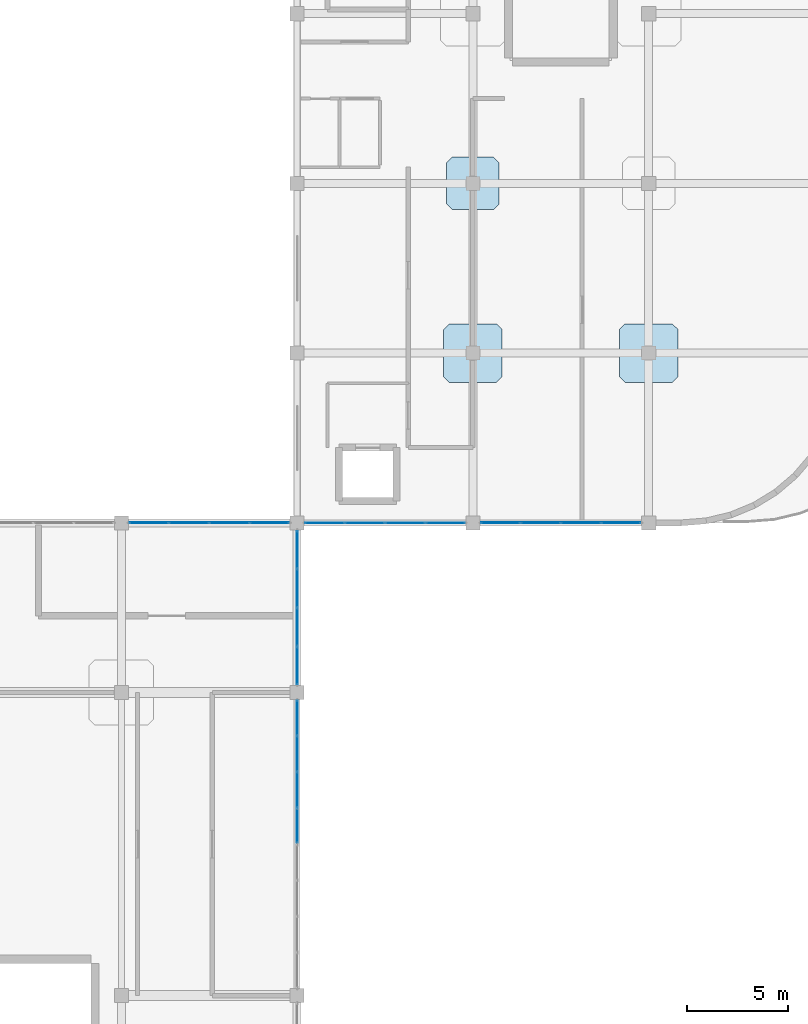
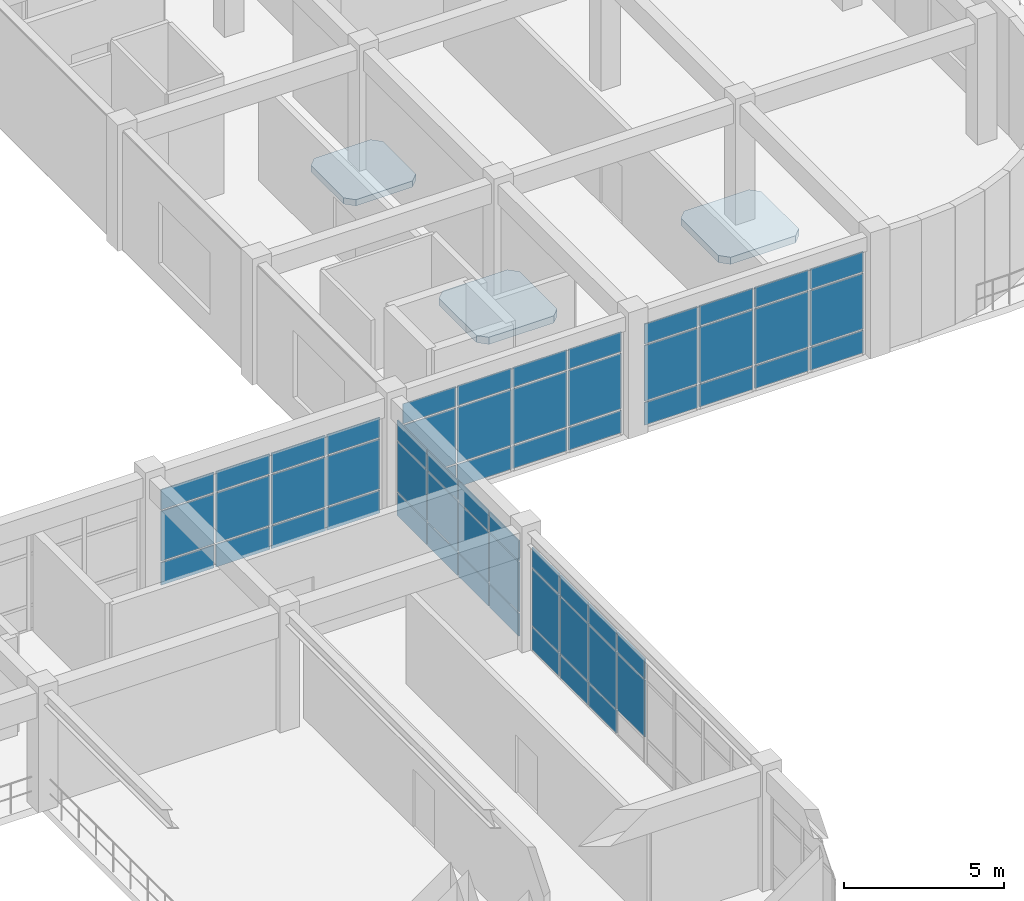
# One storey, part 52 of 64: 59 plates, 3 slabs, 5 elements without a shape of their own.
"""IFC4 building model written with IfcOpenShell, lengths in metres."""

import ifcopenshell
import ifcopenshell.guid

model = None  # the IFC model being written
_history = None  # IfcOwnerHistory: only IFC2X3 demands one
_inside = {}  # id of a spatial element -> (the spatial element, [elements in it])
_under = {}  # id of a project, library or spatial element -> (it, [spatial elements below it])
_declared = {}  # id of a project -> (the project, [libraries it declares])
_typed = {}  # id of a type object -> (the type object, [elements of that type])
_made_of = {}  # id of a material, layer set ... -> (it, [elements and type objects made of it])


def new_model(schema):
    """Start an empty IFC model of exactly this schema.

    Asked for "IFC4X3", IfcOpenShell would pick the latest addendum, in which some entities
    have other attributes; the version numbers below select the first issue.
    IFC2X3 requires an IfcOwnerHistory on every rooted entity: one is made here for all.
    """
    global model, _history
    if schema == "IFC4X3":
        model = ifcopenshell.file(schema_version=(4, 3, 0, 0))
    else:
        model = ifcopenshell.file(schema=schema)
    _inside.clear()
    _under.clear()
    _declared.clear()
    _typed.clear()
    _made_of.clear()
    _history = None
    if model.schema == "IFC2X3":
        org = make("IfcOrganization", Name="unknown")
        user = make(
            "IfcPersonAndOrganization",
            ThePerson=make("IfcPerson", FamilyName="unknown"),
            TheOrganization=org,
        )
        app = make(
            "IfcApplication",
            ApplicationDeveloper=org,
            Version="unknown",
            ApplicationFullName="unknown",
            ApplicationIdentifier="unknown",
        )
        _history = make(
            "IfcOwnerHistory",
            OwningUser=user,
            OwningApplication=app,
            ChangeAction="ADDED",
            CreationDate=0,
        )
    return model


def make(cls, **values):
    """One entity of the class cls with the attributes given. An attribute that is None is left unset."""
    return model.create_entity(
        cls, **{name: value for name, value in values.items() if value is not None}
    )


def rooted(cls, **values):
    """An entity with a GlobalId (a new one), such as an element, a storey or a relation."""
    return make(cls, GlobalId=ifcopenshell.guid.new(), OwnerHistory=_history, **values)


def si_unit(unit_type, name, prefix=None):
    """IfcSIUnit, for example si_unit("LENGTHUNIT", "METRE", prefix="MILLI")."""
    return make("IfcSIUnit", UnitType=unit_type, Prefix=prefix, Name=name)


def derived_unit(unit_type, elements):
    """IfcDerivedUnit: a product of units, each with its exponent."""
    return make(
        "IfcDerivedUnit",
        Elements=[
            make("IfcDerivedUnitElement", Unit=unit, Exponent=power)
            for unit, power in elements
        ],
        UnitType=unit_type,
    )


def assignment(units):
    """IfcUnitAssignment: the units of a project."""
    return None if units is None else make("IfcUnitAssignment", Units=units)


def point(xyz):
    """IfcCartesianPoint."""
    return None if xyz is None else make("IfcCartesianPoint", Coordinates=xyz)


def direction(xyz):
    """IfcDirection."""
    return None if xyz is None else make("IfcDirection", DirectionRatios=xyz)


def frame(location, z_axis=None, x_axis=None):
    """IfcAxis2Placement3D, a coordinate frame: its origin and axes. An axis left out is left unset."""
    return make(
        "IfcAxis2Placement3D",
        Location=point(location),
        Axis=direction(z_axis),
        RefDirection=direction(x_axis),
    )


def frame_2d(location, x_axis=None):
    """IfcAxis2Placement2D, a coordinate frame in the plane: its origin and x axis."""
    return make(
        "IfcAxis2Placement2D", Location=point(location), RefDirection=direction(x_axis)
    )


def origin():
    """The frame at (0, 0, 0) with its axes left unset."""
    return frame((0.0, 0.0, 0.0))


def origin_2d():
    """The frame at (0, 0) in the plane with its x axis left unset."""
    return frame_2d((0.0, 0.0))


def place(relative_to, where):
    """IfcLocalPlacement: puts the frame where relative to a parent placement (None: the world)."""
    return make(
        "IfcLocalPlacement", PlacementRelTo=relative_to, RelativePlacement=where
    )


def context(
    kind, dimensions, precision=None, world=None, true_north=None, identifier=None
):
    """IfcGeometricRepresentationContext, for example the 3D "Model" context."""
    return make(
        "IfcGeometricRepresentationContext",
        ContextIdentifier=identifier,
        ContextType=kind,
        CoordinateSpaceDimension=dimensions,
        Precision=precision,
        WorldCoordinateSystem=world,
        TrueNorth=true_north,
    )


def subcontext(parent, identifier, kind, view, scale=None):
    """IfcGeometricRepresentationSubContext, for example "Body" below "Model"."""
    return make(
        "IfcGeometricRepresentationSubContext",
        ContextIdentifier=identifier,
        ContextType=kind,
        ParentContext=parent,
        TargetScale=scale,
        TargetView=view,
    )


def project(units=None, contexts=None):
    """IfcProject with its units and contexts."""
    return rooted(
        "IfcProject",
        Name="project",
        RepresentationContexts=contexts,
        UnitsInContext=assignment(units),
    )


def spatial(cls, under=None, at=None, **own):
    """A site, building, storey or space (cls), placed at a placement, below another one or the project."""
    s = rooted(cls, ObjectPlacement=at, **own)
    if under is not None:
        _under.setdefault(under.id(), (under, []))[1].append(s)
    return s


def polyline(points):
    """IfcPolyline through the points."""
    return make("IfcPolyline", Points=[point(p) for p in points])


def profile(cls, at=None, kind="AREA", **sizes):
    """A parametric profile (cls). Its sizes go by their IFC names, for example OverallWidth=200.0."""
    return make(cls, ProfileType=kind, Position=at, **sizes)


def rectangle(**sizes):
    """IfcRectangleProfileDef."""
    return profile("IfcRectangleProfileDef", **sizes)


def outline(outer, holes=None, kind="AREA"):
    """IfcArbitraryClosedProfileDef: a profile drawn as a closed curve; with holes, ...WithVoids."""
    if holes is None:
        return make("IfcArbitraryClosedProfileDef", ProfileType=kind, OuterCurve=outer)
    return make(
        "IfcArbitraryProfileDefWithVoids",
        ProfileType=kind,
        OuterCurve=outer,
        InnerCurves=holes,
    )


def extrude(swept, where, along, depth):
    """IfcExtrudedAreaSolid: the profile swept, set in the frame where, extruded along a direction by depth."""
    return make(
        "IfcExtrudedAreaSolid",
        SweptArea=swept,
        Position=where,
        ExtrudedDirection=direction(along),
        Depth=depth,
    )


def shape(context_of_items, identifier, shape_type, items):
    """IfcShapeRepresentation: the items that make up one representation, for example the "Body"."""
    return make(
        "IfcShapeRepresentation",
        ContextOfItems=context_of_items,
        RepresentationIdentifier=identifier,
        RepresentationType=shape_type,
        Items=items,
    )


def material(Name=None, Category=None):
    """IfcMaterial."""
    return make("IfcMaterial", Name=Name, Category=Category)


def layer(
    of_material, thickness, ventilated=None, Name=None, Category=None, Priority=None
):
    """IfcMaterialLayer: one layer of a wall or slab, of a material (None: an air gap)."""
    return make(
        "IfcMaterialLayer",
        Material=of_material,
        LayerThickness=thickness,
        IsVentilated=ventilated,
        Name=Name,
        Category=Category,
        Priority=Priority,
    )


def layer_set(layers, Name=None):
    """IfcMaterialLayerSet."""
    return make("IfcMaterialLayerSet", MaterialLayers=layers, LayerSetName=Name)


def made_of(thing, what):
    """Note that an element or type object is made of a material, layer set ...; save() writes the relation."""
    if what is not None:
        _made_of.setdefault(what.id(), (what, []))[1].append(thing)
    return thing


def type_object(cls, material=None, **own):
    """A type object (cls), such as IfcWallType, which elements share."""
    return made_of(rooted(cls, **own), material)


def element(
    cls,
    number,
    at=None,
    inside=None,
    cuts=None,
    type_object=None,
    material=None,
    context=None,
    identifier="Body",
    shape_type=None,
    held_by="IfcProductDefinitionShape",
    body=None,
    shapes=None,
    **own,
):
    """One element of the class cls, such as IfcWall. Its Tag is "e" and its number.

    at: its placement. inside: the storey or other place that contains it. cuts: it is an
    opening in that element (IfcRelVoidsElement). A single representation is given by context,
    identifier, shape_type and body (its items); several are given by shapes. held_by: the class
    of the entity that holds the representations. save() writes the other relations.
    """
    e = rooted(cls, Tag="e%d" % number, ObjectPlacement=at, **own)
    if body is not None:
        shapes = [shape(context, identifier, shape_type, body)]
    if shapes is not None:
        e.Representation = make(held_by, Representations=shapes)
    if inside is not None:
        _inside.setdefault(inside.id(), (inside, []))[1].append(e)
    if cuts is not None:
        rooted(
            "IfcRelVoidsElement", RelatingBuildingElement=cuts, RelatedOpeningElement=e
        )
    if type_object is not None:
        _typed.setdefault(type_object.id(), (type_object, []))[1].append(e)
    return made_of(e, material)


def aggregate(whole, parts):
    """IfcRelAggregates: a whole, such as a stair, and the parts it consists of."""
    return rooted("IfcRelAggregates", RelatingObject=whole, RelatedObjects=parts)


def save(model, path):
    """Write the relations noted so far, then the file.

    IfcRelAggregates (storeys below a building ...), IfcRelContainedInSpatialStructure (elements
    in a storey), IfcRelDefinesByType, IfcRelAssociatesMaterial and IfcRelDeclares: one each for
    every whole, place, type object, material and project.
    """
    for whole, parts in _under.values():
        aggregate(whole, parts)
    for where, things in _inside.values():
        rooted(
            "IfcRelContainedInSpatialStructure",
            RelatedElements=things,
            RelatingStructure=where,
        )
    for kind, things in _typed.values():
        rooted("IfcRelDefinesByType", RelatedObjects=things, RelatingType=kind)
    for what, things in _made_of.values():
        rooted("IfcRelAssociatesMaterial", RelatedObjects=things, RelatingMaterial=what)
    for by, libraries in _declared.values():
        rooted("IfcRelDeclares", RelatingContext=by, RelatedDefinitions=libraries)
    model.write(path)


model = new_model("IFC4")

# Units and contexts
model_context = context("Model", 3, precision=1e-05, world=origin(), true_north=direction((0.0, 1.0)))
body_context = subcontext(model_context, "Body", "Model", "MODEL_VIEW")
ifc_project = project(units=[si_unit("LENGTHUNIT", "METRE"), si_unit("AREAUNIT", "SQUARE_METRE"), si_unit("VOLUMEUNIT", "CUBIC_METRE"), si_unit("PLANEANGLEUNIT", "RADIAN"), si_unit("MASSUNIT", "GRAM", prefix="KILO"), derived_unit("THERMALTRANSMITTANCEUNIT", [(si_unit("MASSUNIT", "GRAM", prefix="KILO"), 1), (si_unit("TIMEUNIT", "SECOND"), -3), (si_unit("THERMODYNAMICTEMPERATUREUNIT", "KELVIN"), -1)])], contexts=[model_context])

# Site, building, storey
site_placement = place(None, origin())
site = spatial("IfcSite", under=ifc_project, at=site_placement, CompositionType="ELEMENT")
building_placement = place(site_placement, origin())
building = spatial("IfcBuilding", under=site, at=building_placement, Name="Qinzheling Arcade Emporium", CompositionType="ELEMENT")
storey_placement = place(building_placement, frame((0.0, 0.0, 31.5)))
storey = spatial("IfcBuildingStorey", under=building, at=storey_placement, Name="L07", CompositionType="ELEMENT", Elevation=31.5)

# Slabs
ifc_material_1 = material(Name="Concrete C40", Category="concrete")
ifc_layer_1 = layer(ifc_material_1, 0.235107421875, Name="Concrete C40", Category="concrete")
ifc_layer_set_1 = layer_set([ifc_layer_1], Name="Concrete C40")
slab_type_1 = type_object("IfcSlabType", Name="Column Head Drop Panel 2600x2600x235 C40", PredefinedType="USERDEFINED", material=ifc_layer_set_1)
slab_1_placement = place(storey_placement, frame((0.0, 0.0, -0.5)))
element("IfcSlab", 1, at=slab_1_placement, inside=storey, type_object=slab_type_1, Name="Column Drop Panel DP-L07-14-L", ObjectType="DROP_PANEL", PredefinedType="USERDEFINED", context=body_context, shape_type="SweptSolid", body=[
    extrude(outline(polyline([(112.080078125, 89.300048828125), (114.1201171875, 89.300048828125), (114.39990234375, 89.580078125), (114.39990234375, 91.6201171875), (114.1201171875, 91.89990234375), (112.080078125, 91.89990234375), (111.800048828125, 91.6201171875), (111.800048828125, 89.580078125), (112.080078125, 89.300048828125)])), origin(), (0.0, 0.0, 1.0), 0.235107421875),
])
ifc_layer_2 = layer(ifc_material_1, 0.27001953125, Name="Concrete C40", Category="concrete")
ifc_layer_set_2 = layer_set([ifc_layer_2], Name="Concrete C40")
slab_type_2 = type_object("IfcSlabType", Name="Column Head Drop Panel 2900x2900x270 C40", PredefinedType="USERDEFINED", material=ifc_layer_set_2)
slab_2_placement = place(storey_placement, frame((0.0, 0.0, -0.534912109375)))
element("IfcSlab", 2, at=slab_2_placement, inside=storey, type_object=slab_type_2, Name="Column Drop Panel DP-L07-14-K", ObjectType="DROP_PANEL", PredefinedType="USERDEFINED", context=body_context, shape_type="SweptSolid", body=[
    extrude(outline(polyline([(111.929931640625, 80.75), (114.27001953125, 80.75), (114.550048828125, 81.030029296875), (114.550048828125, 83.3701171875), (114.27001953125, 83.64990234375), (111.929931640625, 83.64990234375), (111.64990234375, 83.3701171875), (111.64990234375, 81.030029296875), (111.929931640625, 80.75)])), origin(), (0.0, 0.0, 1.0), 0.27001953125),
])
slab_3_placement = place(storey_placement, frame((0.0, 0.0, -0.534912109375)))
element("IfcSlab", 3, at=slab_3_placement, inside=storey, type_object=slab_type_2, Name="Column Drop Panel DP-L07-15-K", ObjectType="DROP_PANEL", PredefinedType="USERDEFINED", context=body_context, shape_type="SweptSolid", body=[
    extrude(outline(polyline([(120.6298828125, 80.75), (122.969970703125, 80.75), (123.25, 81.030029296875), (123.25, 83.3701171875), (122.969970703125, 83.64990234375), (120.6298828125, 83.64990234375), (120.35009765625, 83.3701171875), (120.35009765625, 81.030029296875), (120.6298828125, 80.75)])), origin(), (0.0, 0.0, 1.0), 0.27001953125),
])

# Curtain wall, plates
ifc_material_2 = material(Name="Anodised aluminium and solar-control double glazing", Category="aluminium")
ifc_layer_3 = layer(ifc_material_2, 0.159912109375, Name="Anodised aluminium and solar-control double glazing", Category="aluminium")
ifc_layer_set_3 = layer_set([ifc_layer_3], Name="Anodised aluminium and solar-control double glazing")
curtain_wall_type_1 = type_object("IfcCurtainWallType", Name="Arcade Portal Glazed Curtain Wall", PredefinedType="NOTDEFINED", material=ifc_layer_set_3)
curtain_wall_1_placement = place(storey_placement, origin())
curtain_wall_1 = element("IfcCurtainWall", 4, at=curtain_wall_1_placement, inside=storey, type_object=curtain_wall_type_1, Name="Curtain Wall CW-L07-442", PredefinedType="NOTDEFINED")
ifc_material_3 = material(Name="Laminated solar-control double glazing", Category="glass")
ifc_layer_4 = layer(ifc_material_3, 0.02099609375, Name="Laminated solar-control double glazing", Category="glass")
ifc_layer_set_4 = layer_set([ifc_layer_4], Name="Laminated solar-control double glazing")
plate_type_1 = type_object("IfcPlateType", Name="Low-E Double Glazed Curtain Panel 21mm", PredefinedType="CURTAIN_PANEL", material=ifc_layer_set_4)
plate_1_placement = place(storey_placement, frame((111.7333984375, 73.800048828125, 0.06005859375), z_axis=(0.0, 0.0, 1.0), x_axis=(-1.0, 0.0, 0.0)))
plate_1 = element("IfcPlate", 5, at=plate_1_placement, type_object=plate_type_1, Name="CW05 panel 1.1", PredefinedType="CURTAIN_PANEL", context=body_context, shape_type="SweptSolid", body=[
    extrude(rectangle(XDim=1.908935546875, YDim=0.02099609375, at=origin_2d()), origin(), (0.0, 0.0, 1.0), 0.860107421875),
])
plate_2_placement = place(storey_placement, frame((111.7333984375, 73.800048828125, 0.97998046875), z_axis=(0.0, 0.0, 1.0), x_axis=(-1.0, 0.0, 0.0)))
plate_2 = element("IfcPlate", 6, at=plate_2_placement, type_object=plate_type_1, Name="CW05 panel 1.2", PredefinedType="CURTAIN_PANEL", context=body_context, shape_type="SweptSolid", body=[
    extrude(rectangle(XDim=1.908935546875, YDim=0.02099609375, at=origin_2d()), origin(), (0.0, 0.0, 1.0), 2.110107421875),
])
plate_3_placement = place(storey_placement, frame((111.7333984375, 73.800048828125, 3.14990234375), z_axis=(0.0, 0.0, 1.0), x_axis=(-1.0, 0.0, 0.0)))
plate_3 = element("IfcPlate", 7, at=plate_3_placement, type_object=plate_type_1, Name="CW05 panel 1.3", PredefinedType="CURTAIN_PANEL", context=body_context, shape_type="SweptSolid", body=[
    extrude(rectangle(XDim=1.908935546875, YDim=0.02099609375, at=origin_2d()), origin(), (0.0, 0.0, 1.0), 0.760009765625),
])
plate_4_placement = place(storey_placement, frame((109.74951171875, 73.800048828125, 0.06005859375), z_axis=(0.0, 0.0, 1.0), x_axis=(-1.0, 0.0, 0.0)))
plate_4 = element("IfcPlate", 8, at=plate_4_placement, type_object=plate_type_1, Name="CW05 panel 2.1", PredefinedType="CURTAIN_PANEL", context=body_context, shape_type="SweptSolid", body=[
    extrude(rectangle(XDim=1.93896484375, YDim=0.02099609375, at=origin_2d()), origin(), (0.0, 0.0, 1.0), 0.860107421875),
])
plate_5_placement = place(storey_placement, frame((109.74951171875, 73.800048828125, 0.97998046875), z_axis=(0.0, 0.0, 1.0), x_axis=(-1.0, 0.0, 0.0)))
plate_5 = element("IfcPlate", 9, at=plate_5_placement, type_object=plate_type_1, Name="CW05 panel 2.2", PredefinedType="CURTAIN_PANEL", context=body_context, shape_type="SweptSolid", body=[
    extrude(rectangle(XDim=1.93896484375, YDim=0.02099609375, at=origin_2d()), origin(), (0.0, 0.0, 1.0), 2.110107421875),
])
plate_6_placement = place(storey_placement, frame((109.74951171875, 73.800048828125, 3.14990234375), z_axis=(0.0, 0.0, 1.0), x_axis=(-1.0, 0.0, 0.0)))
plate_6 = element("IfcPlate", 10, at=plate_6_placement, type_object=plate_type_1, Name="CW05 panel 2.3", PredefinedType="CURTAIN_PANEL", context=body_context, shape_type="SweptSolid", body=[
    extrude(rectangle(XDim=1.93896484375, YDim=0.02099609375, at=origin_2d()), origin(), (0.0, 0.0, 1.0), 0.760009765625),
])
plate_7_placement = place(storey_placement, frame((107.75048828125, 73.800048828125, 0.06005859375), z_axis=(0.0, 0.0, 1.0), x_axis=(-1.0, 0.0, 0.0)))
plate_7 = element("IfcPlate", 11, at=plate_7_placement, type_object=plate_type_1, Name="CW05 panel 3.1", PredefinedType="CURTAIN_PANEL", context=body_context, shape_type="SweptSolid", body=[
    extrude(rectangle(XDim=1.93896484375, YDim=0.02099609375, at=origin_2d()), origin(), (0.0, 0.0, 1.0), 0.860107421875),
])
plate_8_placement = place(storey_placement, frame((107.75048828125, 73.800048828125, 0.97998046875), z_axis=(0.0, 0.0, 1.0), x_axis=(-1.0, 0.0, 0.0)))
plate_8 = element("IfcPlate", 12, at=plate_8_placement, type_object=plate_type_1, Name="CW05 panel 3.2", PredefinedType="CURTAIN_PANEL", context=body_context, shape_type="SweptSolid", body=[
    extrude(rectangle(XDim=1.93896484375, YDim=0.02099609375, at=origin_2d()), origin(), (0.0, 0.0, 1.0), 2.110107421875),
])
plate_9_placement = place(storey_placement, frame((107.75048828125, 73.800048828125, 3.14990234375), z_axis=(0.0, 0.0, 1.0), x_axis=(-1.0, 0.0, 0.0)))
plate_9 = element("IfcPlate", 13, at=plate_9_placement, type_object=plate_type_1, Name="CW05 panel 3.3", PredefinedType="CURTAIN_PANEL", context=body_context, shape_type="SweptSolid", body=[
    extrude(rectangle(XDim=1.93896484375, YDim=0.02099609375, at=origin_2d()), origin(), (0.0, 0.0, 1.0), 0.760009765625),
])
plate_10_placement = place(storey_placement, frame((105.7666015625, 73.800048828125, 0.06005859375), z_axis=(0.0, 0.0, 1.0), x_axis=(-1.0, 0.0, 0.0)))
plate_10 = element("IfcPlate", 14, at=plate_10_placement, type_object=plate_type_1, Name="CW05 panel 4.1", PredefinedType="CURTAIN_PANEL", context=body_context, shape_type="SweptSolid", body=[
    extrude(rectangle(XDim=1.908935546875, YDim=0.02099609375, at=origin_2d()), origin(), (0.0, 0.0, 1.0), 0.860107421875),
])
plate_11_placement = place(storey_placement, frame((105.7666015625, 73.800048828125, 0.97998046875), z_axis=(0.0, 0.0, 1.0), x_axis=(-1.0, 0.0, 0.0)))
plate_11 = element("IfcPlate", 15, at=plate_11_placement, type_object=plate_type_1, Name="CW05 panel 4.2", PredefinedType="CURTAIN_PANEL", context=body_context, shape_type="SweptSolid", body=[
    extrude(rectangle(XDim=1.908935546875, YDim=0.02099609375, at=origin_2d()), origin(), (0.0, 0.0, 1.0), 2.110107421875),
])
plate_12_placement = place(storey_placement, frame((105.7666015625, 73.800048828125, 3.14990234375), z_axis=(0.0, 0.0, 1.0), x_axis=(-1.0, 0.0, 0.0)))
plate_12 = element("IfcPlate", 16, at=plate_12_placement, type_object=plate_type_1, Name="CW05 panel 4.3", PredefinedType="CURTAIN_PANEL", context=body_context, shape_type="SweptSolid", body=[
    extrude(rectangle(XDim=1.908935546875, YDim=0.02099609375, at=origin_2d()), origin(), (0.0, 0.0, 1.0), 0.760009765625),
])
aggregate(curtain_wall_1, [plate_1, plate_2, plate_3, plate_4, plate_5, plate_6, plate_7, plate_8, plate_9, plate_10, plate_11, plate_12])

ifc_layer_5 = layer(ifc_material_2, 0.159912109375, Name="Anodised aluminium and solar-control double glazing", Category="aluminium")
ifc_layer_set_5 = layer_set([ifc_layer_5], Name="Anodised aluminium and solar-control double glazing")
curtain_wall_type_2 = type_object("IfcCurtainWallType", Name="Atrium Clerestory Curtain Wall", PredefinedType="NOTDEFINED", material=ifc_layer_set_5)
curtain_wall_2_placement = place(storey_placement, origin())
curtain_wall_2 = element("IfcCurtainWall", 17, at=curtain_wall_2_placement, inside=storey, type_object=curtain_wall_type_2, Name="Curtain Wall CW-L07-423", PredefinedType="NOTDEFINED")
ifc_layer_6 = layer(ifc_material_3, 0.0380859375, Name="Laminated solar-control double glazing", Category="glass")
ifc_layer_set_6 = layer_set([ifc_layer_6], Name="Laminated solar-control double glazing")
plate_type_2 = type_object("IfcPlateType", Name="Low-E Double Glazed Curtain Panel 38mm", PredefinedType="CURTAIN_PANEL", material=ifc_layer_set_6)
plate_13_placement = place(storey_placement, frame((97.06640625, 73.800048828125, 0.06005859375), z_axis=(0.0, 0.0, 1.0), x_axis=(1.0, 0.0, 0.0)))
plate_13 = element("IfcPlate", 18, at=plate_13_placement, type_object=plate_type_2, Name="CW03 panel 1.1", PredefinedType="CURTAIN_PANEL", context=body_context, shape_type="SweptSolid", body=[
    extrude(rectangle(XDim=1.908935546875, YDim=0.0380859375, at=origin_2d()), origin(), (0.0, 0.0, 1.0), 0.860107421875),
])
plate_14_placement = place(storey_placement, frame((97.06640625, 73.800048828125, 0.97998046875), z_axis=(0.0, 0.0, 1.0), x_axis=(1.0, 0.0, 0.0)))
plate_14 = element("IfcPlate", 19, at=plate_14_placement, type_object=plate_type_2, Name="CW03 panel 1.2", PredefinedType="CURTAIN_PANEL", context=body_context, shape_type="SweptSolid", body=[
    extrude(rectangle(XDim=1.908935546875, YDim=0.0380859375, at=origin_2d()), origin(), (0.0, 0.0, 1.0), 1.89501953125),
])
plate_15_placement = place(storey_placement, frame((97.06640625, 73.800048828125, 2.93505859375), z_axis=(0.0, 0.0, 1.0), x_axis=(1.0, 0.0, 0.0)))
plate_15 = element("IfcPlate", 20, at=plate_15_placement, type_object=plate_type_2, Name="CW03 panel 1.3", PredefinedType="CURTAIN_PANEL", context=body_context, shape_type="SweptSolid", body=[
    extrude(rectangle(XDim=1.908935546875, YDim=0.0380859375, at=origin_2d()), origin(), (0.0, 0.0, 1.0), 0.760009765625),
])
plate_16_placement = place(storey_placement, frame((99.050537109375, 73.800048828125, 0.06005859375), z_axis=(0.0, 0.0, 1.0), x_axis=(1.0, 0.0, 0.0)))
plate_16 = element("IfcPlate", 21, at=plate_16_placement, type_object=plate_type_2, Name="CW03 panel 2.1", PredefinedType="CURTAIN_PANEL", context=body_context, shape_type="SweptSolid", body=[
    extrude(rectangle(XDim=1.93896484375, YDim=0.0380859375, at=origin_2d()), origin(), (0.0, 0.0, 1.0), 0.860107421875),
])
plate_17_placement = place(storey_placement, frame((99.050537109375, 73.800048828125, 0.97998046875), z_axis=(0.0, 0.0, 1.0), x_axis=(1.0, 0.0, 0.0)))
plate_17 = element("IfcPlate", 22, at=plate_17_placement, type_object=plate_type_2, Name="CW03 panel 2.2", PredefinedType="CURTAIN_PANEL", context=body_context, shape_type="SweptSolid", body=[
    extrude(rectangle(XDim=1.93896484375, YDim=0.0380859375, at=origin_2d()), origin(), (0.0, 0.0, 1.0), 1.89501953125),
])
plate_18_placement = place(storey_placement, frame((99.050537109375, 73.800048828125, 2.93505859375), z_axis=(0.0, 0.0, 1.0), x_axis=(1.0, 0.0, 0.0)))
plate_18 = element("IfcPlate", 23, at=plate_18_placement, type_object=plate_type_2, Name="CW03 panel 2.3", PredefinedType="CURTAIN_PANEL", context=body_context, shape_type="SweptSolid", body=[
    extrude(rectangle(XDim=1.93896484375, YDim=0.0380859375, at=origin_2d()), origin(), (0.0, 0.0, 1.0), 0.760009765625),
])
plate_19_placement = place(storey_placement, frame((101.049560546875, 73.800048828125, 0.06005859375), z_axis=(0.0, 0.0, 1.0), x_axis=(1.0, 0.0, 0.0)))
plate_19 = element("IfcPlate", 24, at=plate_19_placement, type_object=plate_type_2, Name="CW03 panel 3.1", PredefinedType="CURTAIN_PANEL", context=body_context, shape_type="SweptSolid", body=[
    extrude(rectangle(XDim=1.93896484375, YDim=0.0380859375, at=origin_2d()), origin(), (0.0, 0.0, 1.0), 0.860107421875),
])
plate_20_placement = place(storey_placement, frame((101.049560546875, 73.800048828125, 0.97998046875), z_axis=(0.0, 0.0, 1.0), x_axis=(1.0, 0.0, 0.0)))
plate_20 = element("IfcPlate", 25, at=plate_20_placement, type_object=plate_type_2, Name="CW03 panel 3.2", PredefinedType="CURTAIN_PANEL", context=body_context, shape_type="SweptSolid", body=[
    extrude(rectangle(XDim=1.93896484375, YDim=0.0380859375, at=origin_2d()), origin(), (0.0, 0.0, 1.0), 1.89501953125),
])
plate_21_placement = place(storey_placement, frame((101.049560546875, 73.800048828125, 2.93505859375), z_axis=(0.0, 0.0, 1.0), x_axis=(1.0, 0.0, 0.0)))
plate_21 = element("IfcPlate", 26, at=plate_21_placement, type_object=plate_type_2, Name="CW03 panel 3.3", PredefinedType="CURTAIN_PANEL", context=body_context, shape_type="SweptSolid", body=[
    extrude(rectangle(XDim=1.93896484375, YDim=0.0380859375, at=origin_2d()), origin(), (0.0, 0.0, 1.0), 0.760009765625),
])
plate_22_placement = place(storey_placement, frame((103.033447265625, 73.800048828125, 0.06005859375), z_axis=(0.0, 0.0, 1.0), x_axis=(1.0, 0.0, 0.0)))
plate_22 = element("IfcPlate", 27, at=plate_22_placement, type_object=plate_type_2, Name="CW03 panel 4.1", PredefinedType="CURTAIN_PANEL", context=body_context, shape_type="SweptSolid", body=[
    extrude(rectangle(XDim=1.908935546875, YDim=0.0380859375, at=origin_2d()), origin(), (0.0, 0.0, 1.0), 0.860107421875),
])
plate_23_placement = place(storey_placement, frame((103.033447265625, 73.800048828125, 0.97998046875), z_axis=(0.0, 0.0, 1.0), x_axis=(1.0, 0.0, 0.0)))
plate_23 = element("IfcPlate", 28, at=plate_23_placement, type_object=plate_type_2, Name="CW03 panel 4.2", PredefinedType="CURTAIN_PANEL", context=body_context, shape_type="SweptSolid", body=[
    extrude(rectangle(XDim=1.908935546875, YDim=0.0380859375, at=origin_2d()), origin(), (0.0, 0.0, 1.0), 1.89501953125),
])
plate_24_placement = place(storey_placement, frame((103.033447265625, 73.800048828125, 2.93505859375), z_axis=(0.0, 0.0, 1.0), x_axis=(1.0, 0.0, 0.0)))
plate_24 = element("IfcPlate", 29, at=plate_24_placement, type_object=plate_type_2, Name="CW03 panel 4.3", PredefinedType="CURTAIN_PANEL", context=body_context, shape_type="SweptSolid", body=[
    extrude(rectangle(XDim=1.908935546875, YDim=0.0380859375, at=origin_2d()), origin(), (0.0, 0.0, 1.0), 0.760009765625),
])
aggregate(curtain_wall_2, [plate_13, plate_14, plate_15, plate_16, plate_17, plate_18, plate_19, plate_20, plate_21, plate_22, plate_23, plate_24])

curtain_wall_3_placement = place(storey_placement, origin())
curtain_wall_3 = element("IfcCurtainWall", 30, at=curtain_wall_3_placement, inside=storey, type_object=curtain_wall_type_2, Name="Curtain Wall CW-L07-424", PredefinedType="NOTDEFINED")
ifc_layer_7 = layer(ifc_material_3, 0.0400390625, Name="Laminated solar-control double glazing", Category="glass")
ifc_layer_set_7 = layer_set([ifc_layer_7], Name="Laminated solar-control double glazing")
plate_type_3 = type_object("IfcPlateType", Name="Low-E Double Glazed Curtain Panel 40mm", PredefinedType="CURTAIN_PANEL", material=ifc_layer_set_7)
plate_25_placement = place(storey_placement, frame((104.39990234375, 72.470947265625, 0.06005859375), z_axis=(0.0, 0.0, 1.0), x_axis=(0.0, -1.0, 0.0)))
plate_25 = element("IfcPlate", 31, at=plate_25_placement, type_object=plate_type_3, Name="CW03 panel 1.1", PredefinedType="CURTAIN_PANEL", context=body_context, shape_type="SweptSolid", body=[
    extrude(rectangle(XDim=1.833984375, YDim=0.0400390625, at=origin_2d()), origin(), (0.0, 0.0, 1.0), 0.860107421875),
])
plate_26_placement = place(storey_placement, frame((104.39990234375, 72.470947265625, 0.97998046875), z_axis=(0.0, 0.0, 1.0), x_axis=(0.0, -1.0, 0.0)))
plate_26 = element("IfcPlate", 32, at=plate_26_placement, type_object=plate_type_3, Name="CW03 panel 1.2", PredefinedType="CURTAIN_PANEL", context=body_context, shape_type="SweptSolid", body=[
    extrude(rectangle(XDim=1.833984375, YDim=0.0400390625, at=origin_2d()), origin(), (0.0, 0.0, 1.0), 1.89501953125),
])
plate_27_placement = place(storey_placement, frame((104.39990234375, 72.470947265625, 2.93505859375), z_axis=(0.0, 0.0, 1.0), x_axis=(0.0, -1.0, 0.0)))
plate_27 = element("IfcPlate", 33, at=plate_27_placement, type_object=plate_type_3, Name="CW03 panel 1.3", PredefinedType="CURTAIN_PANEL", context=body_context, shape_type="SweptSolid", body=[
    extrude(rectangle(XDim=1.833984375, YDim=0.0400390625, at=origin_2d()), origin(), (0.0, 0.0, 1.0), 0.760009765625),
])
plate_28_placement = place(storey_placement, frame((104.39990234375, 70.56201171875, 0.06005859375), z_axis=(0.0, 0.0, 1.0), x_axis=(0.0, -1.0, 0.0)))
plate_28 = element("IfcPlate", 34, at=plate_28_placement, type_object=plate_type_3, Name="CW03 panel 2.1", PredefinedType="CURTAIN_PANEL", context=body_context, shape_type="SweptSolid", body=[
    extrude(rectangle(XDim=1.864013671875, YDim=0.0400390625, at=origin_2d()), origin(), (0.0, 0.0, 1.0), 0.860107421875),
])
plate_29_placement = place(storey_placement, frame((104.39990234375, 70.56201171875, 0.97998046875), z_axis=(0.0, 0.0, 1.0), x_axis=(0.0, -1.0, 0.0)))
plate_29 = element("IfcPlate", 35, at=plate_29_placement, type_object=plate_type_3, Name="CW03 panel 2.2", PredefinedType="CURTAIN_PANEL", context=body_context, shape_type="SweptSolid", body=[
    extrude(rectangle(XDim=1.864013671875, YDim=0.0400390625, at=origin_2d()), origin(), (0.0, 0.0, 1.0), 1.89501953125),
])
plate_30_placement = place(storey_placement, frame((104.39990234375, 70.56201171875, 2.93505859375), z_axis=(0.0, 0.0, 1.0), x_axis=(0.0, -1.0, 0.0)))
plate_30 = element("IfcPlate", 36, at=plate_30_placement, type_object=plate_type_3, Name="CW03 panel 2.3", PredefinedType="CURTAIN_PANEL", context=body_context, shape_type="SweptSolid", body=[
    extrude(rectangle(XDim=1.864013671875, YDim=0.0400390625, at=origin_2d()), origin(), (0.0, 0.0, 1.0), 0.760009765625),
])
plate_31_placement = place(storey_placement, frame((104.39990234375, 68.637939453125, 0.06005859375), z_axis=(0.0, 0.0, 1.0), x_axis=(0.0, -1.0, 0.0)))
plate_31 = element("IfcPlate", 37, at=plate_31_placement, type_object=plate_type_3, Name="CW03 panel 3.1", PredefinedType="CURTAIN_PANEL", context=body_context, shape_type="SweptSolid", body=[
    extrude(rectangle(XDim=1.864013671875, YDim=0.0400390625, at=origin_2d()), origin(), (0.0, 0.0, 1.0), 0.860107421875),
])
plate_32_placement = place(storey_placement, frame((104.39990234375, 68.637939453125, 0.97998046875), z_axis=(0.0, 0.0, 1.0), x_axis=(0.0, -1.0, 0.0)))
plate_32 = element("IfcPlate", 38, at=plate_32_placement, type_object=plate_type_3, Name="CW03 panel 3.2", PredefinedType="CURTAIN_PANEL", context=body_context, shape_type="SweptSolid", body=[
    extrude(rectangle(XDim=1.864013671875, YDim=0.0400390625, at=origin_2d()), origin(), (0.0, 0.0, 1.0), 1.89501953125),
])
plate_33_placement = place(storey_placement, frame((104.39990234375, 68.637939453125, 2.93505859375), z_axis=(0.0, 0.0, 1.0), x_axis=(0.0, -1.0, 0.0)))
plate_33 = element("IfcPlate", 39, at=plate_33_placement, type_object=plate_type_3, Name="CW03 panel 3.3", PredefinedType="CURTAIN_PANEL", context=body_context, shape_type="SweptSolid", body=[
    extrude(rectangle(XDim=1.864013671875, YDim=0.0400390625, at=origin_2d()), origin(), (0.0, 0.0, 1.0), 0.760009765625),
])
plate_34_placement = place(storey_placement, frame((104.39990234375, 66.72900390625, 0.06005859375), z_axis=(0.0, 0.0, 1.0), x_axis=(0.0, -1.0, 0.0)))
plate_34 = element("IfcPlate", 40, at=plate_34_placement, type_object=plate_type_3, Name="CW03 panel 4.1", PredefinedType="CURTAIN_PANEL", context=body_context, shape_type="SweptSolid", body=[
    extrude(rectangle(XDim=1.833984375, YDim=0.0400390625, at=origin_2d()), origin(), (0.0, 0.0, 1.0), 0.860107421875),
])
plate_35_placement = place(storey_placement, frame((104.39990234375, 66.72900390625, 0.97998046875), z_axis=(0.0, 0.0, 1.0), x_axis=(0.0, -1.0, 0.0)))
plate_35 = element("IfcPlate", 41, at=plate_35_placement, type_object=plate_type_3, Name="CW03 panel 4.2", PredefinedType="CURTAIN_PANEL", context=body_context, shape_type="SweptSolid", body=[
    extrude(rectangle(XDim=1.833984375, YDim=0.0400390625, at=origin_2d()), origin(), (0.0, 0.0, 1.0), 1.89501953125),
])
plate_36_placement = place(storey_placement, frame((104.39990234375, 66.72900390625, 2.93505859375), z_axis=(0.0, 0.0, 1.0), x_axis=(0.0, -1.0, 0.0)))
plate_36 = element("IfcPlate", 42, at=plate_36_placement, type_object=plate_type_3, Name="CW03 panel 4.3", PredefinedType="CURTAIN_PANEL", context=body_context, shape_type="SweptSolid", body=[
    extrude(rectangle(XDim=1.833984375, YDim=0.0400390625, at=origin_2d()), origin(), (0.0, 0.0, 1.0), 0.760009765625),
])
aggregate(curtain_wall_3, [plate_25, plate_26, plate_27, plate_28, plate_29, plate_30, plate_31, plate_32, plate_33, plate_34, plate_35, plate_36])

curtain_wall_4_placement = place(storey_placement, origin())
curtain_wall_4 = element("IfcCurtainWall", 43, at=curtain_wall_4_placement, inside=storey, type_object=curtain_wall_type_2, Name="Curtain Wall CW-L07-425", PredefinedType="NOTDEFINED")
ifc_layer_8 = layer(ifc_material_3, 0.0419921875, Name="Laminated solar-control double glazing", Category="glass")
ifc_layer_set_8 = layer_set([ifc_layer_8], Name="Laminated solar-control double glazing")
plate_type_4 = type_object("IfcPlateType", Name="Low-E Double Glazed Curtain Panel 42mm", PredefinedType="CURTAIN_PANEL", material=ifc_layer_set_8)
plate_37_placement = place(storey_placement, frame((104.39990234375, 64.1396484375, 0.06005859375), z_axis=(0.0, 0.0, 1.0), x_axis=(0.0, -1.0, 0.0)))
plate_37 = element("IfcPlate", 44, at=plate_37_placement, type_object=plate_type_4, Name="CW03 panel 1.1", PredefinedType="CURTAIN_PANEL", context=body_context, shape_type="SweptSolid", body=[
    extrude(rectangle(XDim=1.696533203125, YDim=0.0419921875, at=origin_2d()), origin(), (0.0, 0.0, 1.0), 0.860107421875),
])
plate_38_placement = place(storey_placement, frame((104.39990234375, 64.1396484375, 0.97998046875), z_axis=(0.0, 0.0, 1.0), x_axis=(0.0, -1.0, 0.0)))
plate_38 = element("IfcPlate", 45, at=plate_38_placement, type_object=plate_type_4, Name="CW03 panel 1.2", PredefinedType="CURTAIN_PANEL", context=body_context, shape_type="SweptSolid", body=[
    extrude(rectangle(XDim=1.696533203125, YDim=0.0419921875, at=origin_2d()), origin(), (0.0, 0.0, 1.0), 2.156982421875),
])
plate_39_placement = place(storey_placement, frame((104.39990234375, 64.1396484375, 3.19677734375), z_axis=(0.0, 0.0, 1.0), x_axis=(0.0, -1.0, 0.0)))
plate_39 = element("IfcPlate", 46, at=plate_39_placement, type_object=plate_type_4, Name="CW03 panel 1.3", PredefinedType="CURTAIN_PANEL", context=body_context, shape_type="SweptSolid", body=[
    extrude(rectangle(XDim=1.696533203125, YDim=0.0419921875, at=origin_2d()), origin(), (0.0, 0.0, 1.0), 0.760009765625),
])
plate_40_placement = place(storey_placement, frame((104.39990234375, 62.3681640625, 0.06005859375), z_axis=(0.0, 0.0, 1.0), x_axis=(0.0, -1.0, 0.0)))
plate_40 = element("IfcPlate", 47, at=plate_40_placement, type_object=plate_type_4, Name="CW03 panel 2.1", PredefinedType="CURTAIN_PANEL", context=body_context, shape_type="SweptSolid", body=[
    extrude(rectangle(XDim=1.7265625, YDim=0.0419921875, at=origin_2d()), origin(), (0.0, 0.0, 1.0), 0.860107421875),
])
plate_41_placement = place(storey_placement, frame((104.39990234375, 62.3681640625, 0.97998046875), z_axis=(0.0, 0.0, 1.0), x_axis=(0.0, -1.0, 0.0)))
plate_41 = element("IfcPlate", 48, at=plate_41_placement, type_object=plate_type_4, Name="CW03 panel 2.2", PredefinedType="CURTAIN_PANEL", context=body_context, shape_type="SweptSolid", body=[
    extrude(rectangle(XDim=1.7265625, YDim=0.0419921875, at=origin_2d()), origin(), (0.0, 0.0, 1.0), 2.156982421875),
])
plate_42_placement = place(storey_placement, frame((104.39990234375, 62.3681640625, 3.19677734375), z_axis=(0.0, 0.0, 1.0), x_axis=(0.0, -1.0, 0.0)))
plate_42 = element("IfcPlate", 49, at=plate_42_placement, type_object=plate_type_4, Name="CW03 panel 2.3", PredefinedType="CURTAIN_PANEL", context=body_context, shape_type="SweptSolid", body=[
    extrude(rectangle(XDim=1.7265625, YDim=0.0419921875, at=origin_2d()), origin(), (0.0, 0.0, 1.0), 0.760009765625),
])
plate_43_placement = place(storey_placement, frame((104.39990234375, 60.581787109375, 0.06005859375), z_axis=(0.0, 0.0, 1.0), x_axis=(0.0, -1.0, 0.0)))
plate_43 = element("IfcPlate", 50, at=plate_43_placement, type_object=plate_type_4, Name="CW03 panel 3.1", PredefinedType="CURTAIN_PANEL", context=body_context, shape_type="SweptSolid", body=[
    extrude(rectangle(XDim=1.7265625, YDim=0.0419921875, at=origin_2d()), origin(), (0.0, 0.0, 1.0), 0.860107421875),
])
plate_44_placement = place(storey_placement, frame((104.39990234375, 60.581787109375, 0.97998046875), z_axis=(0.0, 0.0, 1.0), x_axis=(0.0, -1.0, 0.0)))
plate_44 = element("IfcPlate", 51, at=plate_44_placement, type_object=plate_type_4, Name="CW03 panel 3.2", PredefinedType="CURTAIN_PANEL", context=body_context, shape_type="SweptSolid", body=[
    extrude(rectangle(XDim=1.7265625, YDim=0.0419921875, at=origin_2d()), origin(), (0.0, 0.0, 1.0), 2.156982421875),
])
plate_45_placement = place(storey_placement, frame((104.39990234375, 60.581787109375, 3.19677734375), z_axis=(0.0, 0.0, 1.0), x_axis=(0.0, -1.0, 0.0)))
plate_45 = element("IfcPlate", 52, at=plate_45_placement, type_object=plate_type_4, Name="CW03 panel 3.3", PredefinedType="CURTAIN_PANEL", context=body_context, shape_type="SweptSolid", body=[
    extrude(rectangle(XDim=1.7265625, YDim=0.0419921875, at=origin_2d()), origin(), (0.0, 0.0, 1.0), 0.760009765625),
])
plate_46_placement = place(storey_placement, frame((104.39990234375, 58.810302734375, 0.97998046875), z_axis=(0.0, 0.0, 1.0), x_axis=(0.0, -1.0, 0.0)))
plate_46 = element("IfcPlate", 53, at=plate_46_placement, type_object=plate_type_4, Name="CW03 panel 4.2", PredefinedType="CURTAIN_PANEL", context=body_context, shape_type="SweptSolid", body=[
    extrude(rectangle(XDim=1.696533203125, YDim=0.0419921875, at=origin_2d()), origin(), (0.0, 0.0, 1.0), 2.156982421875),
])
plate_47_placement = place(storey_placement, frame((104.39990234375, 58.810302734375, 3.19677734375), z_axis=(0.0, 0.0, 1.0), x_axis=(0.0, -1.0, 0.0)))
plate_47 = element("IfcPlate", 54, at=plate_47_placement, type_object=plate_type_4, Name="CW03 panel 4.3", PredefinedType="CURTAIN_PANEL", context=body_context, shape_type="SweptSolid", body=[
    extrude(rectangle(XDim=1.696533203125, YDim=0.0419921875, at=origin_2d()), origin(), (0.0, 0.0, 1.0), 0.760009765625),
])
aggregate(curtain_wall_4, [plate_37, plate_38, plate_39, plate_40, plate_41, plate_42, plate_43, plate_44, plate_45, plate_46, plate_47])

curtain_wall_5_placement = place(storey_placement, origin())
curtain_wall_5 = element("IfcCurtainWall", 55, at=curtain_wall_5_placement, inside=storey, type_object=curtain_wall_type_1, Name="Curtain Wall CW-L07-441", PredefinedType="NOTDEFINED")
plate_48_placement = place(storey_placement, frame((120.43359375, 73.800048828125, 0.06005859375), z_axis=(0.0, 0.0, 1.0), x_axis=(-1.0, 0.0, 0.0)))
plate_48 = element("IfcPlate", 56, at=plate_48_placement, type_object=plate_type_4, Name="CW05 panel 1.1", PredefinedType="CURTAIN_PANEL", context=body_context, shape_type="SweptSolid", body=[
    extrude(rectangle(XDim=1.908935546875, YDim=0.0419921875, at=origin_2d()), origin(), (0.0, 0.0, 1.0), 0.860107421875),
])
plate_49_placement = place(storey_placement, frame((120.43359375, 73.800048828125, 0.97998046875), z_axis=(0.0, 0.0, 1.0), x_axis=(-1.0, 0.0, 0.0)))
plate_49 = element("IfcPlate", 57, at=plate_49_placement, type_object=plate_type_4, Name="CW05 panel 1.2", PredefinedType="CURTAIN_PANEL", context=body_context, shape_type="SweptSolid", body=[
    extrude(rectangle(XDim=1.908935546875, YDim=0.0419921875, at=origin_2d()), origin(), (0.0, 0.0, 1.0), 2.110107421875),
])
plate_50_placement = place(storey_placement, frame((120.43359375, 73.800048828125, 3.14990234375), z_axis=(0.0, 0.0, 1.0), x_axis=(-1.0, 0.0, 0.0)))
plate_50 = element("IfcPlate", 58, at=plate_50_placement, type_object=plate_type_4, Name="CW05 panel 1.3", PredefinedType="CURTAIN_PANEL", context=body_context, shape_type="SweptSolid", body=[
    extrude(rectangle(XDim=1.908935546875, YDim=0.0419921875, at=origin_2d()), origin(), (0.0, 0.0, 1.0), 0.760009765625),
])
plate_51_placement = place(storey_placement, frame((118.449462890625, 73.800048828125, 0.06005859375), z_axis=(0.0, 0.0, 1.0), x_axis=(-1.0, 0.0, 0.0)))
plate_51 = element("IfcPlate", 59, at=plate_51_placement, type_object=plate_type_4, Name="CW05 panel 2.1", PredefinedType="CURTAIN_PANEL", context=body_context, shape_type="SweptSolid", body=[
    extrude(rectangle(XDim=1.93896484375, YDim=0.0419921875, at=origin_2d()), origin(), (0.0, 0.0, 1.0), 0.860107421875),
])
plate_52_placement = place(storey_placement, frame((118.449462890625, 73.800048828125, 0.97998046875), z_axis=(0.0, 0.0, 1.0), x_axis=(-1.0, 0.0, 0.0)))
plate_52 = element("IfcPlate", 60, at=plate_52_placement, type_object=plate_type_4, Name="CW05 panel 2.2", PredefinedType="CURTAIN_PANEL", context=body_context, shape_type="SweptSolid", body=[
    extrude(rectangle(XDim=1.93896484375, YDim=0.0419921875, at=origin_2d()), origin(), (0.0, 0.0, 1.0), 2.110107421875),
])
plate_53_placement = place(storey_placement, frame((118.449462890625, 73.800048828125, 3.14990234375), z_axis=(0.0, 0.0, 1.0), x_axis=(-1.0, 0.0, 0.0)))
plate_53 = element("IfcPlate", 61, at=plate_53_placement, type_object=plate_type_4, Name="CW05 panel 2.3", PredefinedType="CURTAIN_PANEL", context=body_context, shape_type="SweptSolid", body=[
    extrude(rectangle(XDim=1.93896484375, YDim=0.0419921875, at=origin_2d()), origin(), (0.0, 0.0, 1.0), 0.760009765625),
])
plate_54_placement = place(storey_placement, frame((116.450439453125, 73.800048828125, 0.06005859375), z_axis=(0.0, 0.0, 1.0), x_axis=(-1.0, 0.0, 0.0)))
plate_54 = element("IfcPlate", 62, at=plate_54_placement, type_object=plate_type_4, Name="CW05 panel 3.1", PredefinedType="CURTAIN_PANEL", context=body_context, shape_type="SweptSolid", body=[
    extrude(rectangle(XDim=1.93896484375, YDim=0.0419921875, at=origin_2d()), origin(), (0.0, 0.0, 1.0), 0.860107421875),
])
plate_55_placement = place(storey_placement, frame((116.450439453125, 73.800048828125, 0.97998046875), z_axis=(0.0, 0.0, 1.0), x_axis=(-1.0, 0.0, 0.0)))
plate_55 = element("IfcPlate", 63, at=plate_55_placement, type_object=plate_type_4, Name="CW05 panel 3.2", PredefinedType="CURTAIN_PANEL", context=body_context, shape_type="SweptSolid", body=[
    extrude(rectangle(XDim=1.93896484375, YDim=0.0419921875, at=origin_2d()), origin(), (0.0, 0.0, 1.0), 2.110107421875),
])
plate_56_placement = place(storey_placement, frame((116.450439453125, 73.800048828125, 3.14990234375), z_axis=(0.0, 0.0, 1.0), x_axis=(-1.0, 0.0, 0.0)))
plate_56 = element("IfcPlate", 64, at=plate_56_placement, type_object=plate_type_4, Name="CW05 panel 3.3", PredefinedType="CURTAIN_PANEL", context=body_context, shape_type="SweptSolid", body=[
    extrude(rectangle(XDim=1.93896484375, YDim=0.0419921875, at=origin_2d()), origin(), (0.0, 0.0, 1.0), 0.760009765625),
])
plate_57_placement = place(storey_placement, frame((114.466552734375, 73.800048828125, 0.06005859375), z_axis=(0.0, 0.0, 1.0), x_axis=(-1.0, 0.0, 0.0)))
plate_57 = element("IfcPlate", 65, at=plate_57_placement, type_object=plate_type_4, Name="CW05 panel 4.1", PredefinedType="CURTAIN_PANEL", context=body_context, shape_type="SweptSolid", body=[
    extrude(rectangle(XDim=1.908935546875, YDim=0.0419921875, at=origin_2d()), origin(), (0.0, 0.0, 1.0), 0.860107421875),
])
plate_58_placement = place(storey_placement, frame((114.466552734375, 73.800048828125, 0.97998046875), z_axis=(0.0, 0.0, 1.0), x_axis=(-1.0, 0.0, 0.0)))
plate_58 = element("IfcPlate", 66, at=plate_58_placement, type_object=plate_type_4, Name="CW05 panel 4.2", PredefinedType="CURTAIN_PANEL", context=body_context, shape_type="SweptSolid", body=[
    extrude(rectangle(XDim=1.908935546875, YDim=0.0419921875, at=origin_2d()), origin(), (0.0, 0.0, 1.0), 2.110107421875),
])
plate_59_placement = place(storey_placement, frame((114.466552734375, 73.800048828125, 3.14990234375), z_axis=(0.0, 0.0, 1.0), x_axis=(-1.0, 0.0, 0.0)))
plate_59 = element("IfcPlate", 67, at=plate_59_placement, type_object=plate_type_4, Name="CW05 panel 4.3", PredefinedType="CURTAIN_PANEL", context=body_context, shape_type="SweptSolid", body=[
    extrude(rectangle(XDim=1.908935546875, YDim=0.0419921875, at=origin_2d()), origin(), (0.0, 0.0, 1.0), 0.760009765625),
])
aggregate(curtain_wall_5, [plate_48, plate_49, plate_50, plate_51, plate_52, plate_53, plate_54, plate_55, plate_56, plate_57, plate_58, plate_59])

save(model, "model.ifc")
